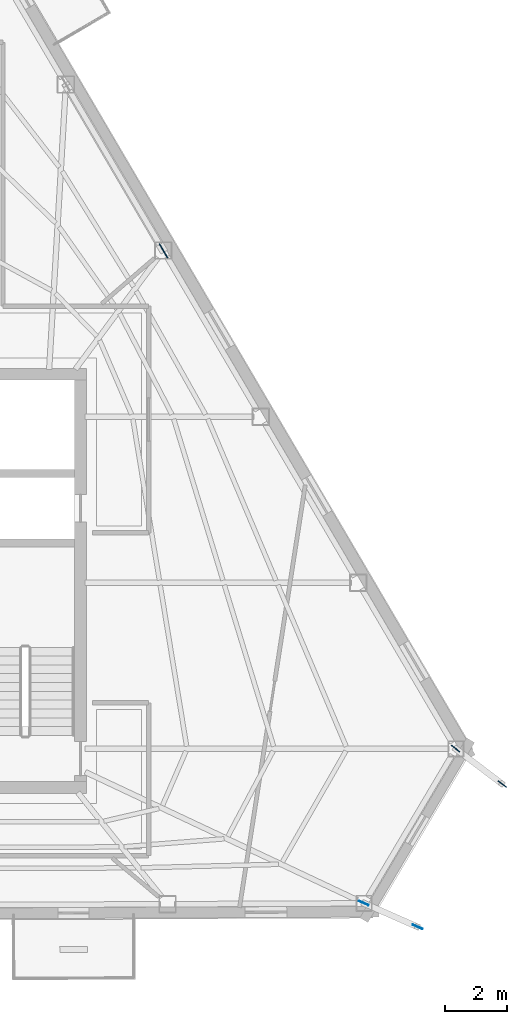
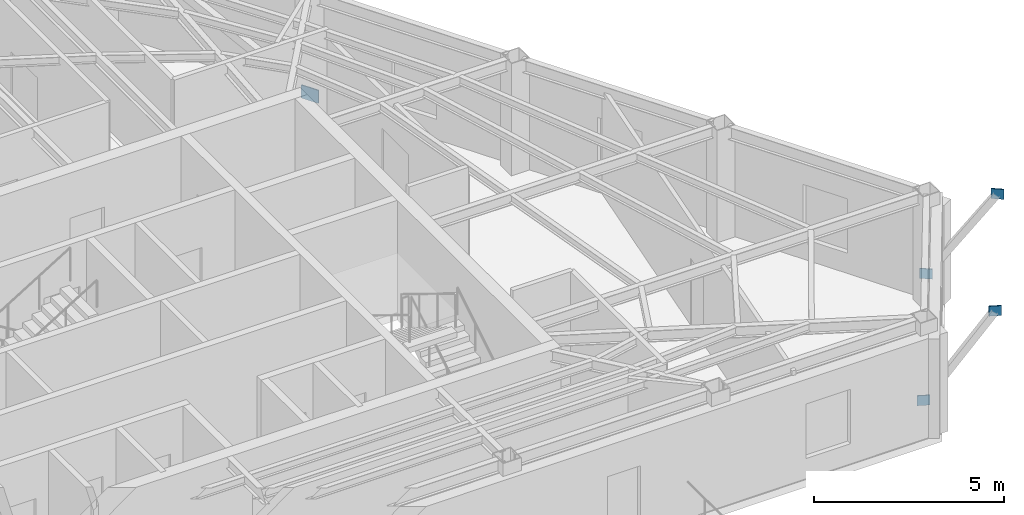
# One storey, part 5 of 9: 5 plates.
"""IFC4 building model written with IfcOpenShell, lengths in metres."""

from ifc_helpers import new_model, si_unit, direction, frame, origin, origin_2d, place, context, subcontext, project, spatial, rectangle, extrude, material, layer, layer_set, type_object, element, save


model = new_model("IFC4")

# Units and contexts
model_context = context("Model", 3, precision=1e-05, world=origin(), true_north=direction((0.0, 1.0)))
body_context = subcontext(model_context, "Body", "Model", "MODEL_VIEW")
ifc_project = project(units=[si_unit("LENGTHUNIT", "METRE"), si_unit("AREAUNIT", "SQUARE_METRE"), si_unit("VOLUMEUNIT", "CUBIC_METRE"), si_unit("PLANEANGLEUNIT", "RADIAN"), si_unit("MASSUNIT", "GRAM", prefix="KILO")], contexts=[model_context])

# Site, building, storey
site_placement = place(None, origin())
site = spatial("IfcSite", under=ifc_project, at=site_placement, CompositionType="ELEMENT")
building_placement = place(site_placement, origin())
building = spatial("IfcBuilding", under=site, at=building_placement, Name="Kavelnor Concourse Tower", CompositionType="ELEMENT")
storey_placement = place(building_placement, frame((0.0, 0.0, 278.0)))
storey = spatial("IfcBuildingStorey", under=building, at=storey_placement, Name="L70", CompositionType="ELEMENT", Elevation=278.0)

# Plates
ifc_material = material(Name="Steel Grade 350", Category="steel")
ifc_layer_1 = layer(ifc_material, 0.028076171875, Name="Steel Grade 350")
ifc_layer_set_1 = layer_set([ifc_layer_1], Name="Steel Grade 350")
plate_type_1 = type_object("IfcPlateType", Name="PL-GUSSET-FOLD", PredefinedType="USERDEFINED", material=ifc_layer_set_1)
for number, where, z_axis, x_axis, name in (
    (1, (56.876953125, 5.6689453125, 0.73974609375), (0.0, 0.0, 1.0), (0.915100475986, -0.403225890599, 0.0), "L70 Terrace Strut Gusset GP4 C2-A End Gusset A"),
    (2, (58.6171875, 4.902099609375, 3.47509765625), (0.0, 0.0, 1.0), (0.915100475986, -0.403225890599, 0.0), "L70 Terrace Strut Gusset GP4 C2-A End Gusset B"),
    (3, (59.843994140625, 10.673095703125, 0.73974609375), (0.0, 0.0, 1.0), (0.796635428344, -0.604460084958, 0.0), "L70 Terrace Strut Gusset GP4 C2-B End Gusset A"),
    (4, (61.356689453125, 9.525146484375, 3.47509765625), (0.0, 0.0, 1.0), (0.796635428344, -0.604460084958, 0.0), "L70 Terrace Strut Gusset GP4 C2-B End Gusset B"),
):
    element("IfcPlate", number, at=place(storey_placement, frame(where, z_axis=z_axis, x_axis=x_axis)), inside=storey, type_object=plate_type_1, Name=name, ObjectType="GUSSET_PLATE", PredefinedType="USERDEFINED", context=body_context, shape_type="SweptSolid", body=[
        extrude(rectangle(XDim=0.340087890625, YDim=0.028076171875, at=origin_2d()), origin(), (0.0, 0.0, 1.0), 0.320068359375),
    ])
ifc_layer_2 = layer(ifc_material, 0.031982421875, Name="Steel Grade 350")
ifc_layer_set_2 = layer_set([ifc_layer_2], Name="Steel Grade 350")
plate_type_2 = type_object("IfcPlateType", Name="PL-GUSSET-TUBE-Z1", PredefinedType="USERDEFINED", material=ifc_layer_set_2)
plate_placement = place(storey_placement, frame((50.3955078125, 26.779541015625, 0.010009765625), z_axis=(0.0, 0.0, 1.0), x_axis=(-0.506184293447, 0.862425336518, 0.0)))
element("IfcPlate", 5, at=plate_placement, inside=storey, type_object=plate_type_2, Name="L70 Tube Brace Gusset GP3 F2-B3 End Gusset A", ObjectType="GUSSET_PLATE", PredefinedType="USERDEFINED", context=body_context, shape_type="SweptSolid", body=[
    extrude(rectangle(XDim=0.52001953125, YDim=0.031982421875, at=origin_2d()), origin(), (0.0, 0.0, 1.0), 0.419921875),
])

save(model, "model.ifc")
